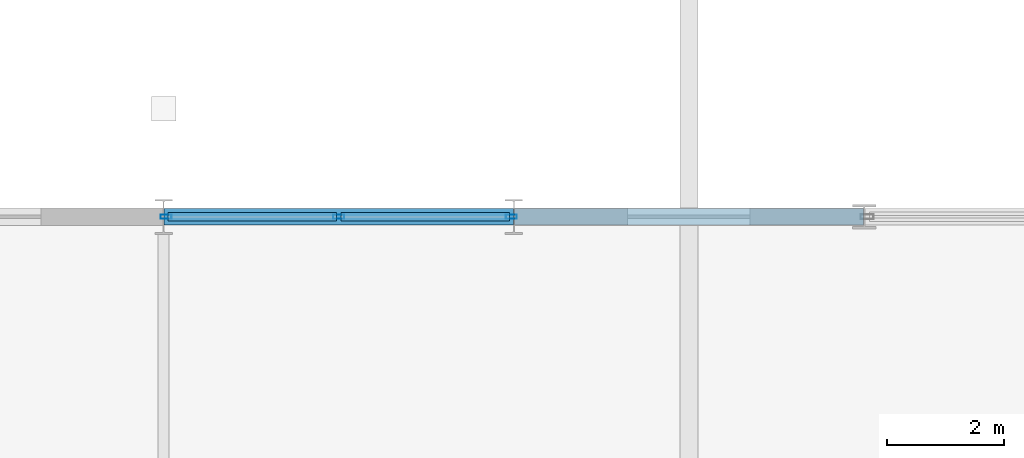
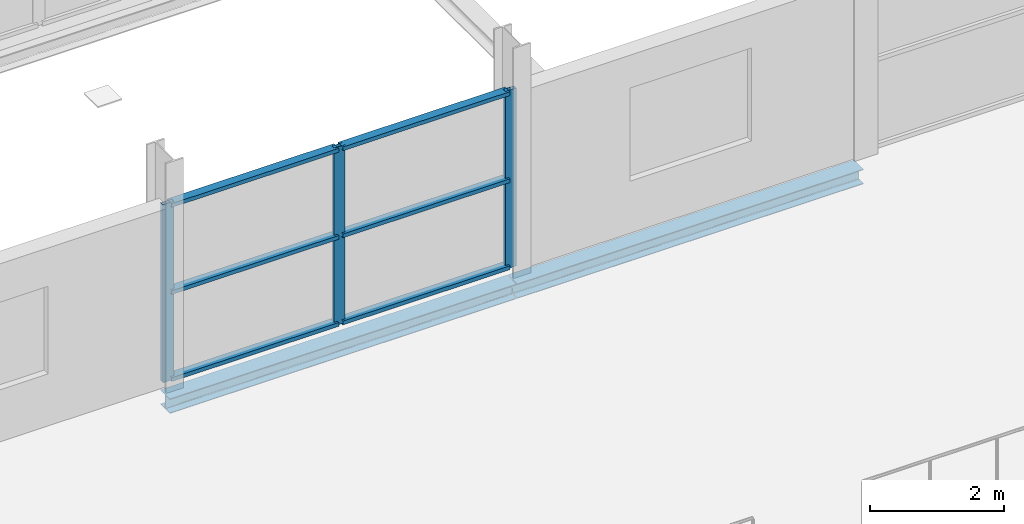
# One storey, part 41 of 135: 9 members, 2 beams, 1 element without a shape of its own.
"""IFC4 building model written with IfcOpenShell, lengths in metres."""

from ifc_helpers import new_model, si_unit, direction, frame, origin, origin_2d, place, context, subcontext, project, spatial, hollow_rectangle, i_section, extrude, material, layer, layer_set, material_profile, profile_set, type_object, element, aggregate, save


model = new_model("IFC4")

# Units and contexts
model_context = context("Model", 3, precision=1e-05, world=origin(), true_north=direction((0.0, 1.0)))
body_context = subcontext(model_context, "Body", "Model", "MODEL_VIEW")
ifc_project = project(units=[si_unit("LENGTHUNIT", "METRE"), si_unit("AREAUNIT", "SQUARE_METRE"), si_unit("VOLUMEUNIT", "CUBIC_METRE"), si_unit("PLANEANGLEUNIT", "RADIAN"), si_unit("MASSUNIT", "GRAM", prefix="KILO")], contexts=[model_context])

# Site, building, storey
site_placement = place(None, origin())
site = spatial("IfcSite", under=ifc_project, at=site_placement, CompositionType="ELEMENT")
building_placement = place(site_placement, origin())
building = spatial("IfcBuilding", under=site, at=building_placement, Name="Deido Ridge Mobility Hub", CompositionType="ELEMENT")
storey_placement = place(building_placement, frame((0.0, 0.0, 4.199951171875)))
storey = spatial("IfcBuildingStorey", under=building, at=storey_placement, Name="L01", CompositionType="ELEMENT", Elevation=4.199951171875)

# Curtain wall, members
ifc_material_1 = material(Name="Anodised aluminium EN AW-6063 T6", Category="aluminium")
ifc_layer = layer(ifc_material_1, 0.16796875, Name="Anodised aluminium EN AW-6063 T6")
ifc_layer_set = layer_set([ifc_layer], Name="Anodised aluminium EN AW-6063 T6")
curtain_wall_type = type_object("IfcCurtainWallType", Name="CW-GS-4", PredefinedType="USERDEFINED", material=ifc_layer_set)
curtain_wall_placement = place(storey_placement, origin())
curtain_wall = element("IfcCurtainWall", 1, at=curtain_wall_placement, inside=storey, type_object=curtain_wall_type, Name="Unitised curtain wall GS4", ObjectType="GLAZED SCREEN", PredefinedType="USERDEFINED")
ifc_material_profile_1 = material_profile(ifc_material_1, hollow_rectangle(XDim=0.070068359375, YDim=0.18994140625, WallThickness=0.00390625, at=origin_2d()), Name="RHS 70x190x4")
ifc_profile_set_1 = profile_set([ifc_material_profile_1], Name="Anodised aluminium EN AW-6063 T6")
member_type_1 = type_object("IfcMemberType", Name="MEM-MUL-70X190", PredefinedType="MULLION", material=ifc_profile_set_1)
member_1_placement = place(storey_placement, frame((18.042724609375, 36.0, 0.0), z_axis=(0.0, 0.0, 1.0), x_axis=(0.0, 1.0, 0.0)))
member_1 = element("IfcMember", 2, at=member_1_placement, type_object=member_type_1, Name="GS4 mullion 1", PredefinedType="MULLION", context=body_context, shape_type="SweptSolid", body=[
    extrude(hollow_rectangle(XDim=0.070068359375, YDim=0.18994140625, WallThickness=0.00390625, at=origin_2d()), origin(), (0.0, 0.0, 1.0), 3.25),
])
member_2_placement = place(storey_placement, frame((21.0, 36.0, 0.0), z_axis=(0.0, 0.0, 1.0), x_axis=(0.0, 1.0, 0.0)))
member_2 = element("IfcMember", 3, at=member_2_placement, type_object=member_type_1, Name="GS4 mullion 2", PredefinedType="MULLION", context=body_context, shape_type="SweptSolid", body=[
    extrude(hollow_rectangle(XDim=0.070068359375, YDim=0.18994140625, WallThickness=0.00390625, at=origin_2d()), origin(), (0.0, 0.0, 1.0), 3.25),
])
member_3_placement = place(storey_placement, frame((23.957275390625, 36.0, 0.0), z_axis=(0.0, 0.0, 1.0), x_axis=(0.0, 1.0, 0.0)))
member_3 = element("IfcMember", 4, at=member_3_placement, type_object=member_type_1, Name="GS4 mullion 3", PredefinedType="MULLION", context=body_context, shape_type="SweptSolid", body=[
    extrude(hollow_rectangle(XDim=0.070068359375, YDim=0.18994140625, WallThickness=0.00390625, at=origin_2d()), origin(), (0.0, 0.0, 1.0), 3.25),
])
ifc_material_profile_2 = material_profile(ifc_material_1, hollow_rectangle(XDim=0.14501953125, YDim=0.070068359375, WallThickness=0.00390625, at=origin_2d()), Name="RHS 145x70x4")
ifc_profile_set_2 = profile_set([ifc_material_profile_2], Name="Anodised aluminium EN AW-6063 T6")
member_type_2 = type_object("IfcMemberType", Name="MEM-TRN-145X70", PredefinedType="USERDEFINED", material=ifc_profile_set_2)
member_4_placement = place(storey_placement, frame((18.077880859375, 36.0, 0.03515625), z_axis=(1.0, 0.0, 0.0), x_axis=(0.0, 1.0, 0.0)))
member_4 = element("IfcMember", 5, at=member_4_placement, type_object=member_type_2, Name="GS4 transom 1.1", ObjectType="TRANSOM", PredefinedType="USERDEFINED", context=body_context, shape_type="SweptSolid", body=[
    extrude(hollow_rectangle(XDim=0.14501953125, YDim=0.070068359375, WallThickness=0.00390625, at=origin_2d()), origin(), (0.0, 0.0, 1.0), 2.88720703125),
])
member_5_placement = place(storey_placement, frame((18.077880859375, 36.0, 1.625), z_axis=(1.0, 0.0, 0.0), x_axis=(0.0, 1.0, 0.0)))
member_5 = element("IfcMember", 6, at=member_5_placement, type_object=member_type_2, Name="GS4 transom 1.2", ObjectType="TRANSOM", PredefinedType="USERDEFINED", context=body_context, shape_type="SweptSolid", body=[
    extrude(hollow_rectangle(XDim=0.14501953125, YDim=0.070068359375, WallThickness=0.00390625, at=origin_2d()), origin(), (0.0, 0.0, 1.0), 2.88720703125),
])
member_6_placement = place(storey_placement, frame((18.077880859375, 36.0, 3.215087890625), z_axis=(1.0, 0.0, 0.0), x_axis=(0.0, 1.0, 0.0)))
member_6 = element("IfcMember", 7, at=member_6_placement, type_object=member_type_2, Name="GS4 transom 1.3", ObjectType="TRANSOM", PredefinedType="USERDEFINED", context=body_context, shape_type="SweptSolid", body=[
    extrude(hollow_rectangle(XDim=0.14501953125, YDim=0.070068359375, WallThickness=0.00390625, at=origin_2d()), origin(), (0.0, 0.0, 1.0), 2.88720703125),
])
member_7_placement = place(storey_placement, frame((21.034912109375, 36.0, 0.03515625), z_axis=(1.0, 0.0, 0.0), x_axis=(0.0, 1.0, 0.0)))
member_7 = element("IfcMember", 8, at=member_7_placement, type_object=member_type_2, Name="GS4 transom 2.1", ObjectType="TRANSOM", PredefinedType="USERDEFINED", context=body_context, shape_type="SweptSolid", body=[
    extrude(hollow_rectangle(XDim=0.14501953125, YDim=0.070068359375, WallThickness=0.00390625, at=origin_2d()), origin(), (0.0, 0.0, 1.0), 2.88720703125),
])
member_8_placement = place(storey_placement, frame((21.034912109375, 36.0, 1.625), z_axis=(1.0, 0.0, 0.0), x_axis=(0.0, 1.0, 0.0)))
member_8 = element("IfcMember", 9, at=member_8_placement, type_object=member_type_2, Name="GS4 transom 2.2", ObjectType="TRANSOM", PredefinedType="USERDEFINED", context=body_context, shape_type="SweptSolid", body=[
    extrude(hollow_rectangle(XDim=0.14501953125, YDim=0.070068359375, WallThickness=0.00390625, at=origin_2d()), origin(), (0.0, 0.0, 1.0), 2.88720703125),
])
member_9_placement = place(storey_placement, frame((21.034912109375, 36.0, 3.215087890625), z_axis=(1.0, 0.0, 0.0), x_axis=(0.0, 1.0, 0.0)))
member_9 = element("IfcMember", 10, at=member_9_placement, type_object=member_type_2, Name="GS4 transom 2.3", ObjectType="TRANSOM", PredefinedType="USERDEFINED", context=body_context, shape_type="SweptSolid", body=[
    extrude(hollow_rectangle(XDim=0.14501953125, YDim=0.070068359375, WallThickness=0.00390625, at=origin_2d()), origin(), (0.0, 0.0, 1.0), 2.88720703125),
])
aggregate(curtain_wall, [member_1, member_2, member_3, member_4, member_5, member_6, member_7, member_8, member_9])

# Beams
ifc_material_2 = material(Name="Steel S355J2 EN 10025-2", Category="steel")
ifc_material_profile_3 = material_profile(ifc_material_2, i_section(OverallWidth=0.280029296875, OverallDepth=0.27001953125, WebThickness=0.008056640625, FlangeThickness=0.012939453125, FilletRadius=0.02392578125, at=origin_2d()), Name="HEA 280")
ifc_profile_set_3 = profile_set([ifc_material_profile_3], Name="Steel S355J2 EN 10025-2")
beam_type = type_object("IfcBeamType", Name="SPD-HEA280", PredefinedType="SPANDREL", material=ifc_profile_set_3)
beam_1_placement = place(storey_placement, frame((18.0078125, 36.0, -0.385009765625), z_axis=(1.0, 0.0, 0.0), x_axis=(0.0, 1.0, 0.0)))
element("IfcBeam", 11, at=beam_1_placement, inside=storey, type_object=beam_type, Name="Floor beam SP2", PredefinedType="SPANDREL", context=body_context, shape_type="SweptSolid", body=[
    extrude(i_section(OverallWidth=0.280029296875, OverallDepth=0.27001953125, WebThickness=0.008056640625, FlangeThickness=0.012939453125, FilletRadius=0.02392578125, at=origin_2d()), origin(), (0.0, 0.0, 1.0), 5.984375),
])
beam_2_placement = place(storey_placement, frame((24.0078125, 36.0, -0.385009765625), z_axis=(1.0, 0.0, 0.0), x_axis=(0.0, 1.0, 0.0)))
element("IfcBeam", 12, at=beam_2_placement, inside=storey, type_object=beam_type, Name="Floor beam SP2", PredefinedType="SPANDREL", context=body_context, shape_type="SweptSolid", body=[
    extrude(i_section(OverallWidth=0.280029296875, OverallDepth=0.27001953125, WebThickness=0.008056640625, FlangeThickness=0.012939453125, FilletRadius=0.02392578125, at=origin_2d()), origin(), (0.0, 0.0, 1.0), 5.980224609375),
])

save(model, "model.ifc")
